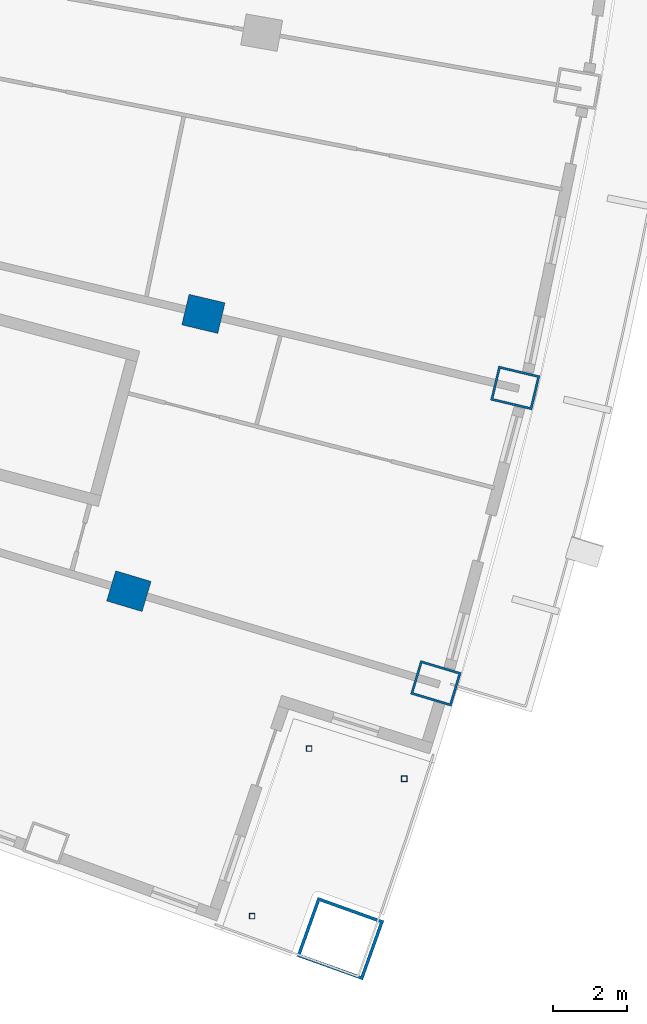
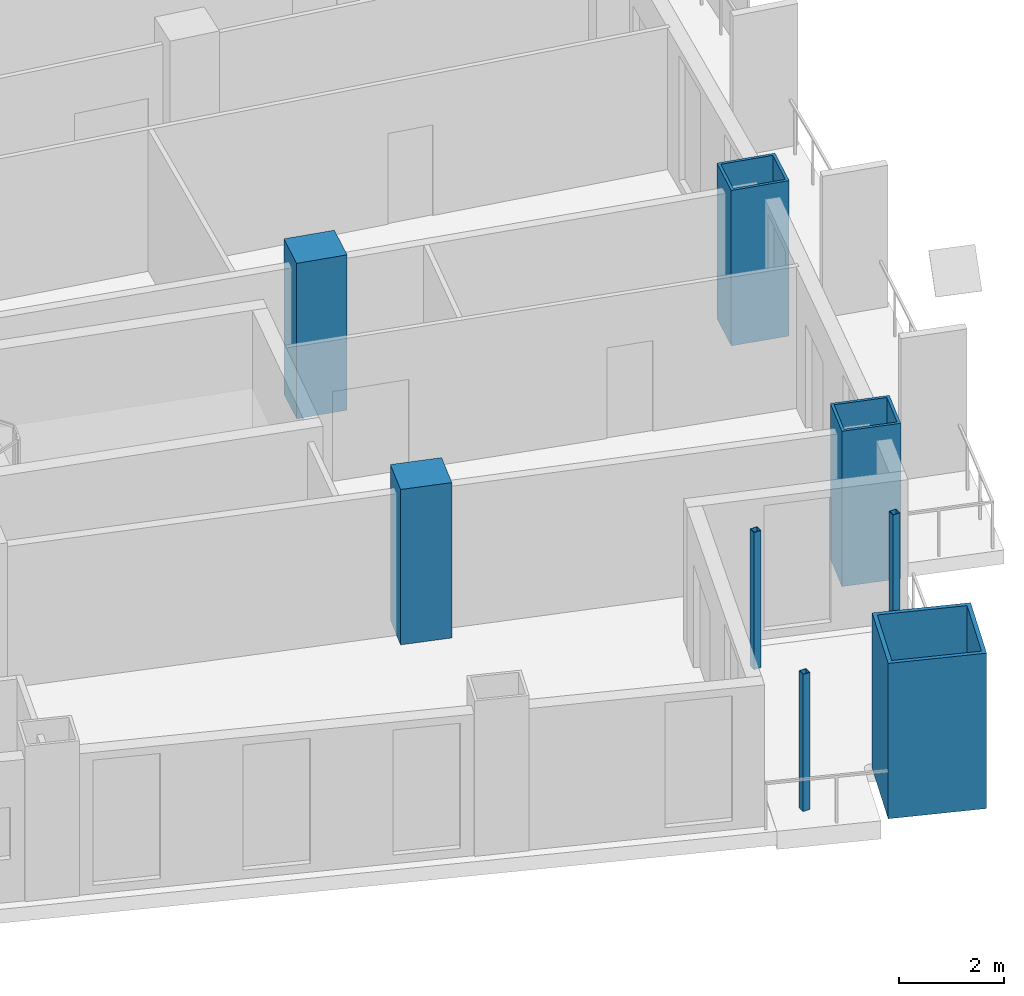
# One storey, part 5 of 25: 8 columns.
"""IFC4 building model written with IfcOpenShell, lengths in metres."""

from ifc_helpers import new_model, si_unit, direction, frame, origin, origin_2d, place, context, subcontext, project, spatial, rectangle, hollow_rectangle, extrude, material, material_profile, profile_set, type_object, element, save


model = new_model("IFC4")

# Units and contexts
model_context = context("Model", 3, precision=1e-05, world=origin(), true_north=direction((0.0, 1.0)))
body_context = subcontext(model_context, "Body", "Model", "MODEL_VIEW")
ifc_project = project(units=[si_unit("LENGTHUNIT", "METRE"), si_unit("AREAUNIT", "SQUARE_METRE"), si_unit("VOLUMEUNIT", "CUBIC_METRE"), si_unit("PLANEANGLEUNIT", "RADIAN"), si_unit("MASSUNIT", "GRAM", prefix="KILO")], contexts=[model_context])

# Site, building, storey
site_placement = place(None, origin())
site = spatial("IfcSite", under=ifc_project, at=site_placement, CompositionType="ELEMENT")
building_placement = place(site_placement, origin())
building = spatial("IfcBuilding", under=site, at=building_placement, Name="Alderwake Tower", CompositionType="ELEMENT")
storey_placement = place(building_placement, frame((0.0, 0.0, 89.60009765625)))
storey = spatial("IfcBuildingStorey", under=building, at=storey_placement, Name="L21", CompositionType="ELEMENT", Elevation=89.60009765625)

# Columns
ifc_material_1 = material(Name="Concrete C70/85", Category="concrete")
ifc_material_profile_1 = material_profile(ifc_material_1, rectangle(XDim=0.85009765625, YDim=1.0, at=origin_2d()), Name="RC 1000X850")
ifc_profile_set_1 = profile_set([ifc_material_profile_1], Name="Concrete C70/85")
column_type_1 = type_object("IfcColumnType", Name="Interior column Z2", PredefinedType="COLUMN", material=ifc_profile_set_1)
for number, where, z_axis, x_axis, name in (
    (1, (47.510498046875, 22.7177734375, 0.0), (0.0, 0.0, 1.0), (0.287549418125, 0.957765802342, 0.0), "Column R02-C4"),
    (2, (49.525390625, 30.216796875, 0.0), (0.0, 0.0, 1.0), (0.231221547198, 0.972901123502, 0.0), "Column R03-C4"),
):
    element("IfcColumn", number, at=place(storey_placement, frame(where, z_axis=z_axis, x_axis=x_axis)), inside=storey, type_object=column_type_1, Name=name, PredefinedType="COLUMN", context=body_context, shape_type="SweptSolid", body=[
        extrude(rectangle(XDim=0.85009765625, YDim=1.0, at=origin_2d()), origin(), (0.0, 0.0, 1.0), 3.599853515625),
    ])
ifc_material_2 = material(Name="Steel ASTM A500 Grade C", Category="steel")
ifc_material_profile_2 = material_profile(ifc_material_2, hollow_rectangle(XDim=0.15234375, YDim=0.15234375, WallThickness=0.0087890625, at=origin_2d()), Name="HSS6X6X3/8")
ifc_profile_set_2 = profile_set([ifc_material_profile_2], Name="Steel ASTM A500 Grade C")
column_type_2 = type_object("IfcColumnType", Name="Light post HSS6X6X3/8", PredefinedType="COLUMN", material=ifc_profile_set_2)
for number, where, z_axis, x_axis, name in (
    (3, (54.95703125, 17.645263671875, 0.0), (0.0, 0.0, 1.0), (1.0, 0.0, 0.0), "Terrace post FS1"),
    (4, (50.84130859375, 13.93115234375, 0.0), (0.0, 0.0, 1.0), (1.0, 0.0, 0.0), "Terrace post FS2"),
    (5, (52.3828125, 18.459228515625, 0.0), (0.0, 0.0, 1.0), (1.0, 0.0, 0.0), "Terrace post FS3"),
):
    element("IfcColumn", number, at=place(storey_placement, frame(where, z_axis=z_axis, x_axis=x_axis)), inside=storey, type_object=column_type_2, Name=name, PredefinedType="COLUMN", context=body_context, shape_type="SweptSolid", body=[
        extrude(hollow_rectangle(XDim=0.15234375, YDim=0.15234375, WallThickness=0.0087890625, at=origin_2d()), origin(), (0.0, 0.0, 1.0), 3.179931640625),
    ])
ifc_material_3 = material(Name="Steel ASTM A572 Grade 50 concrete filled C70/85", Category="concrete")
ifc_material_profile_3 = material_profile(ifc_material_3, hollow_rectangle(XDim=1.699951171875, YDim=1.89990234375, WallThickness=0.0849609375, at=origin_2d()), Name="BOX 1900X1700X85")
ifc_profile_set_3 = profile_set([ifc_material_profile_3], Name="Steel ASTM A572 Grade 50 concrete filled C70/85")
column_type_3 = type_object("IfcColumnType", Name="Mega column Z2", PredefinedType="COLUMN", material=ifc_profile_set_3)
column_placement = place(storey_placement, frame((53.2265625, 13.32470703125, 0.0), z_axis=(0.0, 0.0, 1.0), x_axis=(0.336929292402, 0.941529952748, 0.0)))
element("IfcColumn", 6, at=column_placement, inside=storey, type_object=column_type_3, Name="Column R01-C5", PredefinedType="COLUMN", context=body_context, shape_type="SweptSolid", body=[
    extrude(hollow_rectangle(XDim=1.699951171875, YDim=1.89990234375, WallThickness=0.0849609375, at=origin_2d()), origin(), (0.0, 0.0, 1.0), 3.599853515625),
])
ifc_material_4 = material(Name="Steel ASTM A572 Grade 50 concrete filled C70/85", Category="concrete")
ifc_material_profile_4 = material_profile(ifc_material_4, hollow_rectangle(XDim=0.949951171875, YDim=1.14990234375, WallThickness=0.06005859375, at=origin_2d()), Name="BOX 1150X950X60")
ifc_profile_set_4 = profile_set([ifc_material_profile_4], Name="Steel ASTM A572 Grade 50 concrete filled C70/85")
column_type_4 = type_object("IfcColumnType", Name="Perimeter column Z2", PredefinedType="COLUMN", material=ifc_profile_set_4)
for number, where, z_axis, x_axis, name in (
    (7, (55.811279296875, 20.2255859375, 0.0), (0.0, 0.0, 1.0), (0.287549418125, 0.957765802342, 0.0), "Column R02-C5"),
    (8, (57.95751953125, 28.212646484375, 0.0), (0.0, 0.0, 1.0), (0.231221547198, 0.972901123502, 0.0), "Column R03-C5"),
):
    element("IfcColumn", number, at=place(storey_placement, frame(where, z_axis=z_axis, x_axis=x_axis)), inside=storey, type_object=column_type_4, Name=name, PredefinedType="COLUMN", context=body_context, shape_type="SweptSolid", body=[
        extrude(hollow_rectangle(XDim=0.949951171875, YDim=1.14990234375, WallThickness=0.06005859375, at=origin_2d()), origin(), (0.0, 0.0, 1.0), 3.599853515625),
    ])

save(model, "model.ifc")
